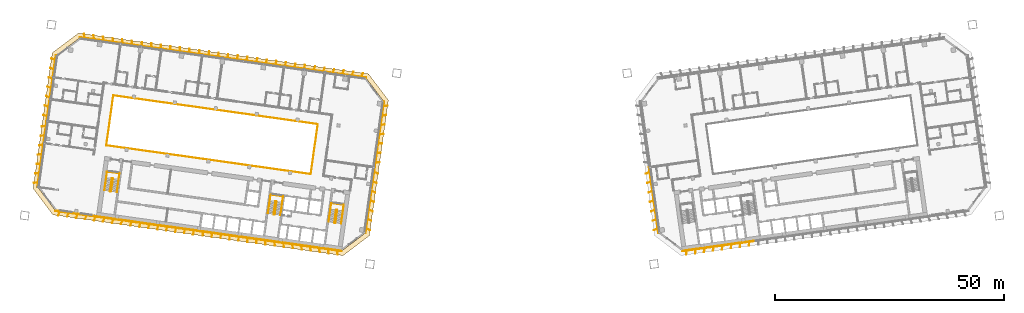
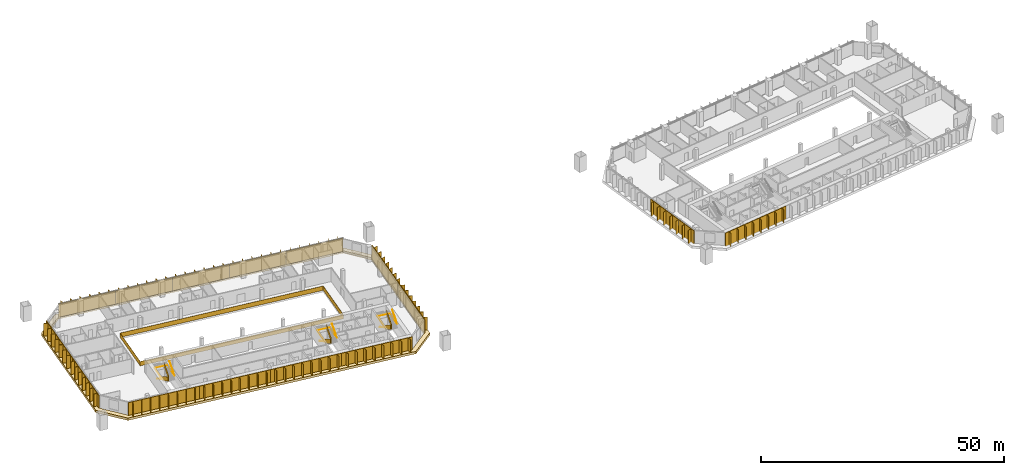
# One storey, part 23 of 24: 15 shading devices, 7 railings, 1 covering.
"""IFC4 building model written with IfcOpenShell, lengths in metres."""

from ifc_helpers import new_model, si_unit, direction, frame, origin, origin_2d, place, context, subcontext, project, spatial, polyline, rectangle, outline, extrude, material, layer, layer_set, type_object, element, save


model = new_model("IFC4")

# Units and contexts
model_context = context("Model", 3, precision=1e-05, world=origin(), true_north=direction((0.0, 1.0)))
body_context = subcontext(model_context, "Body", "Model", "MODEL_VIEW")
ifc_project = project(units=[si_unit("LENGTHUNIT", "METRE"), si_unit("AREAUNIT", "SQUARE_METRE"), si_unit("VOLUMEUNIT", "CUBIC_METRE"), si_unit("PLANEANGLEUNIT", "RADIAN"), si_unit("MASSUNIT", "GRAM", prefix="KILO")], contexts=[model_context])

# Site, building, storey
site_placement = place(None, origin())
site = spatial("IfcSite", under=ifc_project, at=site_placement, CompositionType="ELEMENT")
building_placement = place(site_placement, origin())
building = spatial("IfcBuilding", under=site, at=building_placement, Name="Mirante Cascada Hotel Towers", CompositionType="ELEMENT")
storey_placement = place(building_placement, frame((0.0, 0.0, 77.5)))
storey = spatial("IfcBuildingStorey", under=building, at=storey_placement, Name="L16", CompositionType="ELEMENT", Elevation=77.5)

# Railing
ifc_material_1 = material(Name="Toughened glass with stainless steel handrail", Category="steel")
railing_type_1 = type_object("IfcRailingType", Name="Atrium guard 1100 glass balustrade", PredefinedType="GUARDRAIL", material=ifc_material_1)
railing_1_placement = place(storey_placement, frame((-43.8418, -3.4881, 0.0)))
element("IfcRailing", 1, at=railing_1_placement, inside=storey, type_object=railing_type_1, Name="GUARD 1-L16-1", PredefinedType="GUARDRAIL", context=body_context, shape_type="SweptSolid", body=[
    extrude(rectangle(XDim=0.048, YDim=0.048, at=origin_2d()), frame((0.0, 0.0, 1.076), z_axis=(-0.9902681, 0.1391732, 0.0), x_axis=(-0.1391732, -0.9902681, 0.0)), (0.0, 0.0, 1.0), 45.0),
    extrude(rectangle(XDim=0.02, YDim=1.052, at=origin_2d()), frame((0.0, 0.0, 0.526), z_axis=(-0.9902681, 0.1391732, 0.0), x_axis=(-0.1391732, -0.9902681, 0.0)), (0.0, 0.0, 1.0), 45.0),
    extrude(rectangle(XDim=0.048, YDim=0.048, at=origin_2d()), frame((-44.5621, 6.2628, 1.076), z_axis=(0.1391721, 0.9902682, 0.0), x_axis=(-0.9902682, 0.1391721, 0.0)), (0.0, 0.0, 1.0), 11.0001),
    extrude(rectangle(XDim=0.02, YDim=1.052, at=origin_2d()), frame((-44.5621, 6.2628, 0.526), z_axis=(0.1391721, 0.9902682, 0.0), x_axis=(-0.9902682, 0.1391721, 0.0)), (0.0, 0.0, 1.0), 11.0001),
    extrude(rectangle(XDim=0.048, YDim=0.048, at=origin_2d()), frame((-43.0312, 17.1558, 1.076), z_axis=(0.9902681, -0.1391732, 0.0), x_axis=(0.1391732, 0.9902681, 0.0)), (0.0, 0.0, 1.0), 45.0),
    extrude(rectangle(XDim=0.02, YDim=1.052, at=origin_2d()), frame((-43.0312, 17.1558, 0.526), z_axis=(0.9902681, -0.1391732, 0.0), x_axis=(0.1391732, 0.9902681, 0.0)), (0.0, 0.0, 1.0), 45.0),
    extrude(rectangle(XDim=0.048, YDim=0.048, at=origin_2d()), frame((1.5309, 10.893, 1.076), z_axis=(-0.1391721, -0.9902682, 0.0), x_axis=(0.9902682, -0.1391721, 0.0)), (0.0, 0.0, 1.0), 11.0001),
    extrude(rectangle(XDim=0.02, YDim=1.052, at=origin_2d()), frame((1.5309, 10.893, 0.526), z_axis=(-0.1391721, -0.9902682, 0.0), x_axis=(0.9902682, -0.1391721, 0.0)), (0.0, 0.0, 1.0), 11.0001),
])

# Covering
ifc_material_2 = material(Name="Precast concrete C40/50 white", Category="concrete")
ifc_layer = layer(ifc_material_2, 0.6)
ifc_layer_set = layer_set([ifc_layer], Name="Precast concrete SUNSHADE band 1000x600")
covering_type = type_object("IfcCoveringType", Name="Precast concrete SUNSHADE band 1000x600", PredefinedType="CLADDING", material=ifc_layer_set)
covering_placement = place(storey_placement, frame((0.0, 0.0, -0.45)))
element("IfcCovering", 2, at=covering_placement, inside=storey, type_object=covering_type, Name="Precast concrete SUNSHADE band T1 L16", PredefinedType="CLADDING", context=body_context, shape_type="SweptSolid", body=[
    extrude(outline(polyline([(-104.3652, -6.6094), (-100.2139, 22.9287), (-94.4698, 27.2572), (-31.2626, 18.374), (-26.9341, 12.6299), (-31.0854, -16.9082), (-36.8295, -21.2367), (-100.0367, -12.3535), (-104.3652, -6.6094)]), holes=[polyline([(-27.982, 12.3589), (-31.8119, 17.4414), (-94.1988, 26.2093), (-99.2813, 22.3794), (-103.3173, -6.3384), (-99.4874, -11.4209), (-37.1005, -20.1888), (-32.018, -16.3589), (-27.982, 12.3589)])]), origin(), (0.0, 0.0, 1.0), 0.6),
])

# Railings
ifc_material_3 = material(Name="Painted steel", Category="steel")
railing_type_2 = type_object("IfcRailingType", Name="Stair guard 1100 steel balustrade", PredefinedType="GUARDRAIL", material=ifc_material_3)
railing_2_placement = place(storey_placement, frame((-38.1178, -11.2603, 0.0)))
element("IfcRailing", 3, at=railing_2_placement, inside=storey, type_object=railing_type_2, Name="L16 ST1-A stair guard 1", PredefinedType="GUARDRAIL", context=body_context, shape_type="SweptSolid", body=[
    extrude(rectangle(XDim=0.048, YDim=0.048, at=origin_2d()), frame((0.0, 0.0, 1.076), z_axis=(-0.9903326, 0.1387133, 0.0), x_axis=(-0.1387133, -0.9903326, 0.0)), (0.0, 0.0, 1.0), 0.1499),
    extrude(rectangle(XDim=0.02, YDim=1.052, at=origin_2d()), frame((0.0, 0.0, 0.526), z_axis=(-0.9903326, 0.1387133, 0.0), x_axis=(-0.1387133, -0.9903326, 0.0)), (0.0, 0.0, 1.0), 0.1499),
    extrude(rectangle(XDim=0.048, YDim=0.048, at=origin_2d()), frame((-0.1485, 0.0208, 1.076), z_axis=(-0.7991505, -0.6011309, 0.0), x_axis=(0.6011309, -0.7991505, 0.0)), (0.0, 0.9254529, 0.3788627), 0.1866),
    extrude(rectangle(XDim=0.02, YDim=1.052, at=origin_2d()), frame((-0.1485, 0.0208, 0.526), z_axis=(-0.7991505, -0.6011309, 0.0), x_axis=(0.6011309, -0.7991505, 0.0)), (0.0, 0.9254529, 0.3788627), 0.1866),
    extrude(rectangle(XDim=0.048, YDim=0.048, at=origin_2d()), frame((-0.205, -0.0217, 1.2487), z_axis=(-0.139176, -0.9902677, 0.0), x_axis=(0.9902677, -0.139176, 0.0)), (0.0, 0.5250212, 0.8510891), 3.29),
    extrude(rectangle(XDim=0.02, YDim=1.052, at=origin_2d()), frame((-0.205, -0.0217, 0.6987), z_axis=(-0.139176, -0.9902677, 0.0), x_axis=(0.9902677, -0.139176, 0.0)), (0.0, 0.5250212, 0.8510891), 3.29),
    extrude(rectangle(XDim=0.048, YDim=0.048, at=origin_2d()), frame((-0.5947, -2.7945, 2.976), z_axis=(0.9270311, -0.3749843, 0.0), x_axis=(0.3749843, 0.9270311, 0.0)), (0.0, 0.0, 1.0), 0.2061),
    extrude(rectangle(XDim=0.02, YDim=1.052, at=origin_2d()), frame((-0.5947, -2.7945, 2.426), z_axis=(0.9270311, -0.3749843, 0.0), x_axis=(0.3749843, 0.9270311, 0.0)), (0.0, 0.0, 1.0), 0.2061),
    extrude(rectangle(XDim=0.048, YDim=0.048, at=origin_2d()), frame((-0.4036, -2.8718, 2.976), z_axis=(-0.9902408, 0.1393672, 0.0), x_axis=(-0.1393672, -0.9902408, 0.0)), (0.0, 0.0, 1.0), 0.15),
    extrude(rectangle(XDim=0.02, YDim=1.052, at=origin_2d()), frame((-0.4036, -2.8718, 2.426), z_axis=(-0.9902408, 0.1393672, 0.0), x_axis=(-0.1393672, -0.9902408, 0.0)), (0.0, 0.0, 1.0), 0.15),
    extrude(rectangle(XDim=0.048, YDim=0.048, at=origin_2d()), frame((-0.5521, -2.8509, 2.976), z_axis=(0.9944948, 0.1047858, 0.0), x_axis=(-0.1047858, 0.9944948, 0.0)), (0.0, 0.6422034, 0.7665343), 0.2689),
    extrude(rectangle(XDim=0.02, YDim=1.052, at=origin_2d()), frame((-0.5521, -2.8509, 2.426), z_axis=(0.9944948, 0.1047858, 0.0), x_axis=(-0.1047858, 0.9944948, 0.0)), (0.0, 0.6422034, 0.7665343), 0.2689),
    extrude(rectangle(XDim=0.048, YDim=0.048, at=origin_2d()), frame((-0.3471, -2.8293, 3.1487), z_axis=(0.139176, 0.9902677, 0.0), x_axis=(-0.9902677, 0.139176, 0.0)), (0.0, 0.5250212, 0.8510891), 3.29),
    extrude(rectangle(XDim=0.02, YDim=1.052, at=origin_2d()), frame((-0.3471, -2.8293, 2.5987), z_axis=(0.139176, 0.9902677, 0.0), x_axis=(-0.9902677, 0.139176, 0.0)), (0.0, 0.5250212, 0.8510891), 3.29),
])
railing_3_placement = place(storey_placement, frame((-51.3379, -9.4024, 0.0)))
element("IfcRailing", 4, at=railing_3_placement, inside=storey, type_object=railing_type_2, Name="L16 ST1-B stair guard 1", PredefinedType="GUARDRAIL", context=body_context, shape_type="SweptSolid", body=[
    extrude(rectangle(XDim=0.048, YDim=0.048, at=origin_2d()), frame((0.0, 0.0, 1.076), z_axis=(-0.9902408, 0.1393672, 0.0), x_axis=(-0.1393672, -0.9902408, 0.0)), (0.0, 0.0, 1.0), 0.15),
    extrude(rectangle(XDim=0.02, YDim=1.052, at=origin_2d()), frame((0.0, 0.0, 0.526), z_axis=(-0.9902408, 0.1393672, 0.0), x_axis=(-0.1393672, -0.9902408, 0.0)), (0.0, 0.0, 1.0), 0.15),
    extrude(rectangle(XDim=0.048, YDim=0.048, at=origin_2d()), frame((-0.1485, 0.0209, 1.076), z_axis=(-0.7984711, -0.6020331, 0.0), x_axis=(0.6020331, -0.7984711, 0.0)), (0.0, 0.9253398, 0.3791387), 0.1866),
    extrude(rectangle(XDim=0.02, YDim=1.052, at=origin_2d()), frame((-0.1485, 0.0209, 0.526), z_axis=(-0.7984711, -0.6020331, 0.0), x_axis=(0.6020331, -0.7984711, 0.0)), (0.0, 0.9253398, 0.3791387), 0.1866),
    extrude(rectangle(XDim=0.048, YDim=0.048, at=origin_2d()), frame((-0.205, -0.0217, 1.2487), z_axis=(-0.139181, -0.990267, 0.0), x_axis=(0.990267, -0.139181, 0.0)), (0.0, 0.5250347, 0.8510808), 3.2899),
    extrude(rectangle(XDim=0.02, YDim=1.052, at=origin_2d()), frame((-0.205, -0.0217, 0.6987), z_axis=(-0.139181, -0.990267, 0.0), x_axis=(0.990267, -0.139181, 0.0)), (0.0, 0.5250347, 0.8510808), 3.2899),
    extrude(rectangle(XDim=0.048, YDim=0.048, at=origin_2d()), frame((-0.5947, -2.7944, 2.976), z_axis=(0.9268624, -0.3754011, 0.0), x_axis=(0.3754011, 0.9268624, 0.0)), (0.0, 0.0, 1.0), 0.2062),
    extrude(rectangle(XDim=0.02, YDim=1.052, at=origin_2d()), frame((-0.5947, -2.7944, 2.426), z_axis=(0.9268624, -0.3754011, 0.0), x_axis=(0.3754011, 0.9268624, 0.0)), (0.0, 0.0, 1.0), 0.2062),
    extrude(rectangle(XDim=0.048, YDim=0.048, at=origin_2d()), frame((-0.4036, -2.8718, 2.976), z_axis=(-0.9902408, 0.1393672, 0.0), x_axis=(-0.1393672, -0.9902408, 0.0)), (0.0, 0.0, 1.0), 0.15),
    extrude(rectangle(XDim=0.02, YDim=1.052, at=origin_2d()), frame((-0.4036, -2.8718, 2.426), z_axis=(-0.9902408, 0.1393672, 0.0), x_axis=(-0.1393672, -0.9902408, 0.0)), (0.0, 0.0, 1.0), 0.15),
    extrude(rectangle(XDim=0.048, YDim=0.048, at=origin_2d()), frame((-0.5521, -2.8509, 2.976), z_axis=(0.9944441, 0.1052656, 0.0), x_axis=(-0.1052656, 0.9944441, 0.0)), (0.0, 0.6421842, 0.7665504), 0.2689),
    extrude(rectangle(XDim=0.02, YDim=1.052, at=origin_2d()), frame((-0.5521, -2.8509, 2.426), z_axis=(0.9944441, 0.1052656, 0.0), x_axis=(-0.1052656, 0.9944441, 0.0)), (0.0, 0.6421842, 0.7665504), 0.2689),
    extrude(rectangle(XDim=0.048, YDim=0.048, at=origin_2d()), frame((-0.3471, -2.8292, 3.1487), z_axis=(0.139181, 0.990267, 0.0), x_axis=(-0.990267, 0.139181, 0.0)), (0.0, 0.5250347, 0.8510808), 3.2899),
    extrude(rectangle(XDim=0.02, YDim=1.052, at=origin_2d()), frame((-0.3471, -2.8292, 2.5987), z_axis=(0.139181, 0.990267, 0.0), x_axis=(-0.990267, 0.139181, 0.0)), (0.0, 0.5250347, 0.8510808), 3.2899),
])
railing_4_placement = place(storey_placement, frame((-86.9875, -4.3922, 0.0)))
element("IfcRailing", 5, at=railing_4_placement, inside=storey, type_object=railing_type_2, Name="L16 ST1-C stair guard 1", PredefinedType="GUARDRAIL", context=body_context, shape_type="SweptSolid", body=[
    extrude(rectangle(XDim=0.048, YDim=0.048, at=origin_2d()), frame((0.0, 0.0, 1.076), z_axis=(-0.9902537, 0.1392753, 0.0), x_axis=(-0.1392753, -0.9902537, 0.0)), (0.0, 0.0, 1.0), 0.1501),
    extrude(rectangle(XDim=0.02, YDim=1.052, at=origin_2d()), frame((0.0, 0.0, 0.526), z_axis=(-0.9902537, 0.1392753, 0.0), x_axis=(-0.1392753, -0.9902537, 0.0)), (0.0, 0.0, 1.0), 0.1501),
    extrude(rectangle(XDim=0.048, YDim=0.048, at=origin_2d()), frame((-0.1486, 0.0209, 1.076), z_axis=(-0.7986386, -0.601811, 0.0), x_axis=(0.601811, -0.7986386, 0.0)), (0.0, 0.925603, 0.3784959), 0.1866),
    extrude(rectangle(XDim=0.02, YDim=1.052, at=origin_2d()), frame((-0.1486, 0.0209, 0.526), z_axis=(-0.7986386, -0.601811, 0.0), x_axis=(0.601811, -0.7986386, 0.0)), (0.0, 0.925603, 0.3784959), 0.1866),
    extrude(rectangle(XDim=0.048, YDim=0.048, at=origin_2d()), frame((-0.205, -0.0216, 1.2487), z_axis=(-0.139176, -0.9902677, 0.0), x_axis=(0.9902677, -0.139176, 0.0)), (0.0, 0.5250212, 0.8510891), 3.29),
    extrude(rectangle(XDim=0.02, YDim=1.052, at=origin_2d()), frame((-0.205, -0.0216, 0.6987), z_axis=(-0.139176, -0.9902677, 0.0), x_axis=(0.9902677, -0.139176, 0.0)), (0.0, 0.5250212, 0.8510891), 3.29),
    extrude(rectangle(XDim=0.048, YDim=0.048, at=origin_2d()), frame((-0.5947, -2.7944, 2.976), z_axis=(0.9270311, -0.3749843, 0.0), x_axis=(0.3749843, 0.9270311, 0.0)), (0.0, 0.0, 1.0), 0.2061),
    extrude(rectangle(XDim=0.02, YDim=1.052, at=origin_2d()), frame((-0.5947, -2.7944, 2.426), z_axis=(0.9270311, -0.3749843, 0.0), x_axis=(0.3749843, 0.9270311, 0.0)), (0.0, 0.0, 1.0), 0.2061),
    extrude(rectangle(XDim=0.048, YDim=0.048, at=origin_2d()), frame((-0.4036, -2.8717, 2.976), z_axis=(-0.9903454, 0.1386217, 0.0), x_axis=(-0.1386217, -0.9903454, 0.0)), (0.0, 0.0, 1.0), 0.15),
    extrude(rectangle(XDim=0.02, YDim=1.052, at=origin_2d()), frame((-0.4036, -2.8717, 2.426), z_axis=(-0.9903454, 0.1386217, 0.0), x_axis=(-0.1386217, -0.9903454, 0.0)), (0.0, 0.0, 1.0), 0.15),
    extrude(rectangle(XDim=0.048, YDim=0.048, at=origin_2d()), frame((-0.5522, -2.8509, 2.976), z_axis=(0.9944441, 0.1052656, 0.0), x_axis=(-0.1052656, 0.9944441, 0.0)), (0.0, 0.6421842, 0.7665504), 0.2689),
    extrude(rectangle(XDim=0.02, YDim=1.052, at=origin_2d()), frame((-0.5522, -2.8509, 2.426), z_axis=(0.9944441, 0.1052656, 0.0), x_axis=(-0.1052656, 0.9944441, 0.0)), (0.0, 0.6421842, 0.7665504), 0.2689),
    extrude(rectangle(XDim=0.048, YDim=0.048, at=origin_2d()), frame((-0.3472, -2.8292, 3.1487), z_axis=(0.139176, 0.9902677, 0.0), x_axis=(-0.9902677, 0.139176, 0.0)), (0.0, 0.5250212, 0.8510891), 3.29),
    extrude(rectangle(XDim=0.02, YDim=1.052, at=origin_2d()), frame((-0.3472, -2.8292, 2.5987), z_axis=(0.139176, 0.9902677, 0.0), x_axis=(-0.9902677, 0.139176, 0.0)), (0.0, 0.5250212, 0.8510891), 3.29),
])
ifc_material_4 = material(Name="Painted steel", Category="steel")
railing_type_3 = type_object("IfcRailingType", Name="Stair handrail 900 steel tube", PredefinedType="HANDRAIL", material=ifc_material_4)
railing_5_placement = place(storey_placement, frame((-39.5606, -11.1081, 0.1727)))
element("IfcRailing", 6, at=railing_5_placement, inside=storey, type_object=railing_type_3, Name="L16 ST1-A stair handrail 1", PredefinedType="HANDRAIL", context=body_context, shape_type="SweptSolid", body=[
    extrude(rectangle(XDim=0.048, YDim=0.048, at=origin_2d()), frame((0.0, 0.0, 0.876), z_axis=(-0.139181, -0.990267, 0.0), x_axis=(0.990267, -0.139181, 0.0)), (0.0, 0.5250347, 0.8510808), 3.2899),
    extrude(rectangle(XDim=0.048, YDim=0.048, at=origin_2d()), frame((-0.3897, -2.7727, 2.6033), z_axis=(0.1391707, 0.9902684, 0.0), x_axis=(-0.9902684, 0.1391707, 0.0)), (0.0, 0.0420846, 0.999114), 4.1036),
    extrude(rectangle(XDim=0.048, YDim=0.048, at=origin_2d()), frame((0.1809, 1.2874, 2.776), z_axis=(0.9902691, -0.1391657, 0.0), x_axis=(0.1391657, 0.9902691, 0.0)), (0.0, 0.0, 1.0), 2.75),
    extrude(rectangle(XDim=0.048, YDim=0.048, at=origin_2d()), frame((2.9041, 0.9047, 2.776), z_axis=(-0.1391707, -0.9902684, 0.0), x_axis=(0.9902684, -0.1391707, 0.0)), (0.0, 0.0, 1.0), 4.1),
    extrude(rectangle(XDim=0.048, YDim=0.048, at=origin_2d()), frame((2.3335, -3.1554, 2.776), z_axis=(0.139181, 0.990267, 0.0), x_axis=(-0.990267, 0.139181, 0.0)), (0.0, 0.5250347, 0.8510808), 3.2899),
])
railing_6_placement = place(storey_placement, frame((-52.7807, -9.2501, 0.1727)))
element("IfcRailing", 7, at=railing_6_placement, inside=storey, type_object=railing_type_3, Name="L16 ST1-B stair handrail 1", PredefinedType="HANDRAIL", context=body_context, shape_type="SweptSolid", body=[
    extrude(rectangle(XDim=0.048, YDim=0.048, at=origin_2d()), frame((0.0, 0.0, 0.876), z_axis=(-0.139181, -0.990267, 0.0), x_axis=(0.990267, -0.139181, 0.0)), (0.0, 0.5250347, 0.8510808), 3.2899),
    extrude(rectangle(XDim=0.048, YDim=0.048, at=origin_2d()), frame((-0.3897, -2.7727, 2.6033), z_axis=(0.1391707, 0.9902684, 0.0), x_axis=(-0.9902684, 0.1391707, 0.0)), (0.0, 0.0420846, 0.999114), 4.1036),
    extrude(rectangle(XDim=0.048, YDim=0.048, at=origin_2d()), frame((0.1809, 1.2874, 2.776), z_axis=(0.9902641, -0.1392013, 0.0), x_axis=(0.1392013, 0.9902641, 0.0)), (0.0, 0.0, 1.0), 2.75),
    extrude(rectangle(XDim=0.048, YDim=0.048, at=origin_2d()), frame((2.9041, 0.9046, 2.776), z_axis=(-0.1391707, -0.9902684, 0.0), x_axis=(0.9902684, -0.1391707, 0.0)), (0.0, 0.0, 1.0), 4.1),
    extrude(rectangle(XDim=0.048, YDim=0.048, at=origin_2d()), frame((2.3335, -3.1555, 2.776), z_axis=(0.139176, 0.9902677, 0.0), x_axis=(-0.9902677, 0.139176, 0.0)), (0.0, 0.5250212, 0.8510891), 3.29),
])
railing_7_placement = place(storey_placement, frame((-88.4304, -4.2399, 0.1727)))
element("IfcRailing", 8, at=railing_7_placement, inside=storey, type_object=railing_type_3, Name="L16 ST1-C stair handrail 1", PredefinedType="HANDRAIL", context=body_context, shape_type="SweptSolid", body=[
    extrude(rectangle(XDim=0.048, YDim=0.048, at=origin_2d()), frame((0.0, 0.0, 0.876), z_axis=(-0.139181, -0.990267, 0.0), x_axis=(0.990267, -0.139181, 0.0)), (0.0, 0.5250347, 0.8510808), 3.2899),
    extrude(rectangle(XDim=0.048, YDim=0.048, at=origin_2d()), frame((-0.3897, -2.7727, 2.6033), z_axis=(0.1391947, 0.990265, 0.0), x_axis=(-0.990265, 0.1391947, 0.0)), (0.0, 0.0420845, 0.9991141), 4.1036),
    extrude(rectangle(XDim=0.048, YDim=0.048, at=origin_2d()), frame((0.181, 1.2874, 2.776), z_axis=(0.9902691, -0.1391657, 0.0), x_axis=(0.1391657, 0.9902691, 0.0)), (0.0, 0.0, 1.0), 2.75),
    extrude(rectangle(XDim=0.048, YDim=0.048, at=origin_2d()), frame((2.9042, 0.9047, 2.776), z_axis=(-0.1391707, -0.9902684, 0.0), x_axis=(0.9902684, -0.1391707, 0.0)), (0.0, 0.0, 1.0), 4.1),
    extrude(rectangle(XDim=0.048, YDim=0.048, at=origin_2d()), frame((2.3336, -3.1554, 2.776), z_axis=(0.139181, 0.990267, 0.0), x_axis=(-0.990267, 0.139181, 0.0)), (0.0, 0.5250347, 0.8510808), 3.2899),
])

# Shading devices
ifc_material_5 = material(Name="White precast concrete C50/60 fin", Category="concrete")
shading_device_type = type_object("IfcShadingDeviceType", Name="Vertical fin set 4500x900", PredefinedType="USERDEFINED", material=ifc_material_5)
shading_device_1_placement = place(storey_placement, origin())
element("IfcShadingDevice", 9, at=shading_device_1_placement, inside=storey, type_object=shading_device_type, Name="FIN T1 L16 front 1", ObjectType="FIN", PredefinedType="USERDEFINED", context=body_context, shape_type="SweptSolid", body=[
    extrude(outline(polyline([(-82.8173, 25.599), (-82.7126, 24.7465), (-81.7006, 24.6042), (-81.7214, 24.4557), (-94.1988, 26.2093), (-94.1779, 26.3578), (-93.1924, 26.2193), (-93.2945, 27.0506), (-93.2151, 27.0603), (-93.1104, 26.2078), (-91.1129, 25.9271), (-91.2149, 26.7583), (-91.1355, 26.7681), (-91.0308, 25.9155), (-89.0333, 25.6348), (-89.1354, 26.4661), (-89.056, 26.4758), (-88.9513, 25.6233), (-86.9537, 25.3425), (-87.0558, 26.1738), (-86.9764, 26.1835), (-86.8717, 25.331), (-84.8742, 25.0503), (-84.9762, 25.8815), (-84.8968, 25.8913), (-84.7922, 25.0387), (-82.7946, 24.758), (-82.8967, 25.5893), (-82.8173, 25.599)])), origin(), (0.0, 0.0, 1.0), 3.35),
])
shading_device_2_placement = place(storey_placement, origin())
element("IfcShadingDevice", 10, at=shading_device_2_placement, inside=storey, type_object=shading_device_type, Name="FIN T1 L16 front 2", ObjectType="FIN", PredefinedType="USERDEFINED", context=body_context, shape_type="SweptSolid", body=[
    extrude(outline(polyline([(-70.2221, 23.8469), (-70.2295, 22.9921), (-69.2232, 22.8507), (-69.2441, 22.7021), (-81.7214, 24.4557), (-81.7006, 24.6042), (-80.7072, 24.4646), (-80.6999, 25.3089), (-80.6199, 25.3082), (-80.6273, 24.4534), (-78.6277, 24.1724), (-78.6203, 25.0166), (-78.5403, 25.0159), (-78.5478, 24.1611), (-76.5481, 23.8801), (-76.5407, 24.7244), (-76.4608, 24.7237), (-76.4682, 23.8689), (-74.4686, 23.5878), (-74.4612, 24.4321), (-74.3812, 24.4314), (-74.3886, 23.5766), (-72.389, 23.2956), (-72.3816, 24.1399), (-72.3016, 24.1392), (-72.3091, 23.2844), (-70.3094, 23.0033), (-70.3021, 23.8476), (-70.2221, 23.8469)])), origin(), (0.0, 0.0, 1.0), 3.35),
])
shading_device_3_placement = place(storey_placement, origin())
element("IfcShadingDevice", 11, at=shading_device_3_placement, inside=storey, type_object=shading_device_type, Name="FIN T1 L16 front 3", ObjectType="FIN", PredefinedType="USERDEFINED", context=body_context, shape_type="SweptSolid", body=[
    extrude(outline(polyline([(-57.6277, 22.0794), (-57.746, 21.2376), (-56.7458, 21.0971), (-56.7667, 20.9485), (-69.2441, 22.7021), (-69.2232, 22.8507), (-68.223, 22.7101), (-68.1047, 23.5518), (-68.0255, 23.5407), (-68.1438, 22.699), (-66.1434, 22.4178), (-66.0251, 23.2596), (-65.9459, 23.2484), (-66.0642, 22.4067), (-64.0639, 22.1256), (-63.9456, 22.9673), (-63.8664, 22.9562), (-63.9847, 22.1144), (-61.9843, 21.8333), (-61.866, 22.675), (-61.7868, 22.6639), (-61.9051, 21.8222), (-59.9048, 21.541), (-59.7865, 22.3828), (-59.7072, 22.3716), (-59.8255, 21.5299), (-57.8252, 21.2488), (-57.7069, 22.0905), (-57.6277, 22.0794)])), origin(), (0.0, 0.0, 1.0), 3.35),
])
shading_device_4_placement = place(storey_placement, origin())
element("IfcShadingDevice", 12, at=shading_device_4_placement, inside=storey, type_object=shading_device_type, Name="FIN T1 L16 front 4", ObjectType="FIN", PredefinedType="USERDEFINED", context=body_context, shape_type="SweptSolid", body=[
    extrude(outline(polyline([(-45.0361, 20.2967), (-45.2617, 19.4831), (-44.2684, 19.3435), (-44.2893, 19.195), (-56.7667, 20.9485), (-56.7458, 21.0971), (-55.7394, 20.9556), (-55.511, 21.7794), (-55.4339, 21.758), (-55.6595, 20.9444), (-53.6599, 20.6634), (-53.4314, 21.4871), (-53.3544, 21.4657), (-53.58, 20.6521), (-51.5803, 20.3711), (-51.3519, 21.1949), (-51.2748, 21.1735), (-51.5004, 20.3599), (-49.5008, 20.0789), (-49.2723, 20.9026), (-49.1952, 20.8812), (-49.4209, 20.0676), (-47.4212, 19.7866), (-47.1928, 20.6103), (-47.1157, 20.589), (-47.3413, 19.7754), (-45.3416, 19.4943), (-45.1132, 20.3181), (-45.0361, 20.2967)])), origin(), (0.0, 0.0, 1.0), 3.35),
])
shading_device_5_placement = place(storey_placement, origin())
element("IfcShadingDevice", 13, at=shading_device_5_placement, inside=storey, type_object=shading_device_type, Name="FIN T1 L16 front 5", ObjectType="FIN", PredefinedType="USERDEFINED", context=body_context, shape_type="SweptSolid", body=[
    extrude(outline(polyline([(-32.4493, 18.4994), (-32.7765, 17.7284), (-31.791, 17.5899), (-31.8119, 17.4414), (-44.2893, 19.195), (-44.2684, 19.3435), (-43.2564, 19.2013), (-42.9208, 19.9919), (-42.8471, 19.9607), (-43.1744, 19.1897), (-41.1768, 18.909), (-40.8412, 19.6997), (-40.7676, 19.6684), (-41.0948, 18.8975), (-39.0973, 18.6167), (-38.7616, 19.4074), (-38.688, 19.3761), (-39.0152, 18.6052), (-37.0177, 18.3245), (-36.6821, 19.1151), (-36.6084, 19.0839), (-36.9357, 18.3129), (-34.9381, 18.0322), (-34.6025, 18.8229), (-34.5289, 18.7916), (-34.8561, 18.0207), (-32.8586, 17.7399), (-32.5229, 18.5306), (-32.4493, 18.4994)])), origin(), (0.0, 0.0, 1.0), 3.35),
])
shading_device_6_placement = place(storey_placement, origin())
element("IfcShadingDevice", 14, at=shading_device_6_placement, inside=storey, type_object=shading_device_type, Name="FIN T1 L16 inner 1", ObjectType="FIN", PredefinedType="USERDEFINED", context=body_context, shape_type="SweptSolid", body=[
    extrude(outline(polyline([(-29.7112, -1.023), (-29.8515, -2.0209), (-30.0, -2.0), (-27.982, 12.3589), (-27.8334, 12.338), (-27.97, 11.3667), (-27.1387, 11.4687), (-27.1289, 11.3893), (-27.9815, 11.2846), (-28.2583, 9.3154), (-27.427, 9.4174), (-27.4172, 9.338), (-28.2698, 9.2334), (-28.5465, 7.2641), (-27.7153, 7.3662), (-27.7055, 7.2868), (-28.5581, 7.1821), (-28.8348, 5.2128), (-28.0036, 5.3149), (-27.9938, 5.2355), (-28.8464, 5.1308), (-29.1231, 3.1616), (-28.2918, 3.2636), (-28.2821, 3.1842), (-29.1346, 3.0796), (-29.4114, 1.1103), (-28.5801, 1.2124), (-28.5704, 1.133), (-29.4229, 1.0283), (-29.6997, -0.941), (-28.8684, -0.8389), (-28.8587, -0.9183), (-29.7112, -1.023)])), origin(), (0.0, 0.0, 1.0), 3.35),
])
shading_device_7_placement = place(storey_placement, origin())
element("IfcShadingDevice", 15, at=shading_device_7_placement, inside=storey, type_object=shading_device_type, Name="FIN T1 L16 inner 2", ObjectType="FIN", PredefinedType="USERDEFINED", context=body_context, shape_type="SweptSolid", body=[
    extrude(outline(polyline([(-31.733, -15.4084), (-31.8695, -16.3798), (-32.018, -16.3589), (-30.0, -2.0), (-29.8515, -2.0209), (-29.9917, -3.0188), (-29.201, -3.3544), (-29.2323, -3.428), (-30.0032, -3.1008), (-30.28, -5.07), (-29.4893, -5.4057), (-29.5206, -5.4793), (-30.2915, -5.1521), (-30.5683, -7.1213), (-29.7776, -7.4569), (-29.8089, -7.5306), (-30.5798, -7.2033), (-30.8566, -9.1726), (-30.0659, -9.5082), (-30.0972, -9.5818), (-30.8681, -9.2546), (-31.1449, -11.2238), (-30.3542, -11.5595), (-30.3854, -11.6331), (-31.1564, -11.3059), (-31.4331, -13.2751), (-30.6425, -13.6107), (-30.6737, -13.6844), (-31.4447, -13.3571), (-31.7214, -15.3264), (-30.9308, -15.662), (-30.962, -15.7356), (-31.733, -15.4084)])), origin(), (0.0, 0.0, 1.0), 3.35),
])
shading_device_8_placement = place(storey_placement, origin())
element("IfcShadingDevice", 16, at=shading_device_8_placement, inside=storey, type_object=shading_device_type, Name="FIN T1 L16 outer 1", ObjectType="FIN", PredefinedType="USERDEFINED", context=body_context, shape_type="SweptSolid", body=[
    extrude(outline(polyline([(-103.3178, -5.2642), (-103.041, -3.2949), (-103.8723, -3.397), (-103.8821, -3.3176), (-103.0295, -3.2129), (-102.7528, -1.2436), (-103.584, -1.3457), (-103.5938, -1.2663), (-102.7412, -1.1616), (-102.4645, 0.8076), (-103.2957, 0.7056), (-103.3055, 0.785), (-102.4529, 0.8896), (-102.1762, 2.8589), (-103.0075, 2.7568), (-103.0172, 2.8362), (-102.1647, 2.9409), (-101.8879, 4.9102), (-102.7192, 4.8081), (-102.7289, 4.8875), (-101.8764, 4.9922), (-101.5996, 6.9614), (-102.4309, 6.8594), (-102.4406, 6.9388), (-101.5881, 7.0434), (-101.4478, 8.0413), (-101.2993, 8.0205), (-103.3173, -6.3384), (-103.4659, -6.3175), (-103.3293, -5.3462), (-104.1606, -5.4483), (-104.1704, -5.3689), (-103.3178, -5.2642)])), origin(), (0.0, 0.0, 1.0), 3.35),
])
shading_device_9_placement = place(storey_placement, origin())
element("IfcShadingDevice", 17, at=shading_device_9_placement, inside=storey, type_object=shading_device_type, Name="FIN T1 L16 outer 2", ObjectType="FIN", PredefinedType="USERDEFINED", context=body_context, shape_type="SweptSolid", body=[
    extrude(outline(polyline([(-101.2961, 9.1212), (-101.0193, 11.0905), (-101.81, 11.4261), (-101.7787, 11.4998), (-101.0078, 11.1725), (-100.731, 13.1418), (-101.5217, 13.4774), (-101.4904, 13.551), (-100.7195, 13.2238), (-100.4427, 15.193), (-101.2334, 15.5287), (-101.2021, 15.6023), (-100.4312, 15.2751), (-100.1544, 17.2443), (-100.9451, 17.5799), (-100.9139, 17.6536), (-100.1429, 17.3263), (-99.8662, 19.2956), (-100.6568, 19.6312), (-100.6256, 19.7048), (-99.8546, 19.3776), (-99.5779, 21.3469), (-100.3685, 21.6825), (-100.3373, 21.7561), (-99.5663, 21.4289), (-99.4298, 22.4002), (-99.2813, 22.3794), (-101.2993, 8.0205), (-101.4478, 8.0413), (-101.3076, 9.0392), (-102.0983, 9.3749), (-102.067, 9.4485), (-101.2961, 9.1212)])), origin(), (0.0, 0.0, 1.0), 3.35),
])
shading_device_10_placement = place(storey_placement, origin())
element("IfcShadingDevice", 18, at=shading_device_10_placement, inside=storey, type_object=shading_device_type, Name="FIN T1 L16 rear 1", ObjectType="FIN", PredefinedType="USERDEFINED", context=body_context, shape_type="SweptSolid", body=[
    extrude(outline(polyline([(-38.1239, -20.1965), (-39.9915, -19.934), (-39.8894, -20.7653), (-39.9688, -20.775), (-40.0735, -19.9225), (-41.9411, -19.66), (-41.839, -20.4913), (-41.9184, -20.501), (-42.0231, -19.6485), (-43.8907, -19.386), (-43.7886, -20.2173), (-43.868, -20.227), (-43.9727, -19.3745), (-45.8403, -19.112), (-45.7382, -19.9433), (-45.8176, -19.953), (-45.9223, -19.1005), (-47.7898, -18.838), (-47.6878, -19.6693), (-47.7672, -19.679), (-47.8719, -18.8265), (-49.7394, -18.564), (-49.6374, -19.3953), (-49.7168, -19.405), (-49.8214, -18.5525), (-51.689, -18.29), (-51.587, -19.1213), (-51.6664, -19.131), (-51.771, -18.2785), (-52.7181, -18.1454), (-52.6972, -17.9968), (-37.1005, -20.1888), (-37.1214, -20.3374), (-38.0419, -20.208), (-37.9398, -21.0393), (-38.0192, -21.049), (-38.1239, -20.1965)])), origin(), (0.0, 0.0, 1.0), 3.35),
])
shading_device_11_placement = place(storey_placement, origin())
element("IfcShadingDevice", 19, at=shading_device_11_placement, inside=storey, type_object=shading_device_type, Name="FIN T1 L16 rear 2", ObjectType="FIN", PredefinedType="USERDEFINED", context=body_context, shape_type="SweptSolid", body=[
    extrude(outline(polyline([(-53.7283, -18.0034), (-55.5984, -17.7406), (-55.6427, -18.5857), (-55.7226, -18.5815), (-55.6779, -17.7294), (-57.548, -17.4666), (-57.5923, -18.3117), (-57.6722, -18.3075), (-57.6275, -17.4554), (-59.4976, -17.1926), (-59.5419, -18.0377), (-59.6217, -18.0335), (-59.5771, -17.1814), (-61.4472, -16.9186), (-61.4914, -17.7637), (-61.5713, -17.7596), (-61.5267, -16.9074), (-63.3967, -16.6446), (-63.441, -17.4897), (-63.5209, -17.4856), (-63.4763, -16.6334), (-65.3463, -16.3706), (-65.3906, -17.2157), (-65.4705, -17.2116), (-65.4259, -16.3594), (-67.2959, -16.0966), (-67.3402, -16.9417), (-67.4201, -16.9376), (-67.3755, -16.0854), (-68.3148, -15.9534), (-68.2939, -15.8049), (-52.6972, -17.9968), (-52.7181, -18.1454), (-53.6488, -18.0146), (-53.6931, -18.8597), (-53.773, -18.8555), (-53.7283, -18.0034)])), origin(), (0.0, 0.0, 1.0), 3.35),
])
shading_device_12_placement = place(storey_placement, origin())
element("IfcShadingDevice", 20, at=shading_device_12_placement, inside=storey, type_object=shading_device_type, Name="FIN T1 L16 rear 3", ObjectType="FIN", PredefinedType="USERDEFINED", context=body_context, shape_type="SweptSolid", body=[
    extrude(outline(polyline([(-69.3337, -15.8102), (-71.2038, -15.5474), (-71.3957, -16.3788), (-71.4737, -16.3608), (-71.2833, -15.5362), (-73.1534, -15.2734), (-73.3453, -16.1048), (-73.4233, -16.0868), (-73.2329, -15.2622), (-75.103, -14.9994), (-75.2949, -15.8308), (-75.3729, -15.8128), (-75.1825, -14.9882), (-77.0525, -14.7254), (-77.2445, -15.5568), (-77.3224, -15.5388), (-77.1321, -14.7142), (-79.0021, -14.4514), (-79.1941, -15.2828), (-79.272, -15.2648), (-79.0817, -14.4402), (-80.9517, -14.1774), (-81.1437, -15.0088), (-81.2216, -14.9908), (-81.0312, -14.1662), (-82.9013, -13.9034), (-83.0933, -14.7348), (-83.1712, -14.7168), (-82.9808, -13.8922), (-83.9115, -13.7614), (-83.8907, -13.6129), (-68.2939, -15.8049), (-68.3148, -15.9534), (-69.2542, -15.8214), (-69.4461, -16.6528), (-69.5241, -16.6348), (-69.3337, -15.8102)])), origin(), (0.0, 0.0, 1.0), 3.35),
])
shading_device_13_placement = place(storey_placement, origin())
element("IfcShadingDevice", 21, at=shading_device_13_placement, inside=storey, type_object=shading_device_type, Name="FIN T1 L16 rear 4", ObjectType="FIN", PredefinedType="USERDEFINED", context=body_context, shape_type="SweptSolid", body=[
    extrude(outline(polyline([(-84.9406, -13.6168), (-86.8082, -13.3543), (-87.1438, -14.145), (-87.2174, -14.1137), (-86.8902, -13.3428), (-88.7578, -13.0803), (-89.0934, -13.871), (-89.167, -13.8397), (-88.8398, -13.0688), (-90.7074, -12.8063), (-91.043, -13.597), (-91.1166, -13.5657), (-90.7894, -12.7948), (-92.657, -12.5323), (-92.9926, -13.323), (-93.0662, -13.2918), (-92.739, -12.5208), (-94.6065, -12.2583), (-94.9422, -13.049), (-95.0158, -13.0178), (-94.6886, -12.2468), (-96.5561, -11.9843), (-96.8918, -12.775), (-96.9654, -12.7438), (-96.6381, -11.9728), (-98.5057, -11.7103), (-98.8413, -12.501), (-98.915, -12.4698), (-98.5877, -11.6988), (-99.5083, -11.5694), (-99.4874, -11.4209), (-83.8907, -13.6129), (-83.9115, -13.7614), (-84.8586, -13.6283), (-85.1942, -14.419), (-85.2679, -14.3877), (-84.9406, -13.6168)])), origin(), (0.0, 0.0, 1.0), 3.35),
])
shading_device_14_placement = place(storey_placement, origin())
element("IfcShadingDevice", 22, at=shading_device_14_placement, inside=storey, type_object=shading_device_type, Name="FIN T2 L16 inner 2", ObjectType="FIN", PredefinedType="USERDEFINED", context=body_context, shape_type="SweptSolid", body=[
    extrude(outline(polyline([(30.9308, -15.662), (31.7214, -15.3264), (31.4447, -13.3571), (30.6737, -13.6844), (30.6425, -13.6107), (31.4331, -13.2751), (31.1564, -11.3059), (30.3854, -11.6331), (30.3542, -11.5595), (31.1449, -11.2238), (30.8681, -9.2546), (30.0972, -9.5818), (30.0659, -9.5082), (30.8566, -9.1726), (30.5798, -7.2033), (29.8089, -7.5306), (29.7776, -7.4569), (30.5683, -7.1213), (30.2915, -5.1521), (29.5206, -5.4793), (29.4893, -5.4057), (30.28, -5.07), (30.0032, -3.1008), (29.2323, -3.428), (29.201, -3.3544), (29.9917, -3.0188), (29.8515, -2.0209), (30.0, -2.0), (32.018, -16.3589), (31.8695, -16.3798), (31.733, -15.4084), (30.962, -15.7356), (30.9308, -15.662)])), origin(), (0.0, 0.0, 1.0), 3.35),
])
shading_device_15_placement = place(storey_placement, origin())
element("IfcShadingDevice", 23, at=shading_device_15_placement, inside=storey, type_object=shading_device_type, Name="FIN T2 L16 rear 1", ObjectType="FIN", PredefinedType="USERDEFINED", context=body_context, shape_type="SweptSolid", body=[
    extrude(outline(polyline([(37.9398, -21.0393), (38.0419, -20.208), (37.1214, -20.3374), (37.1005, -20.1888), (52.6972, -17.9968), (52.7181, -18.1454), (51.771, -18.2785), (51.6664, -19.131), (51.587, -19.1213), (51.689, -18.29), (49.8214, -18.5525), (49.7168, -19.405), (49.6374, -19.3953), (49.7394, -18.564), (47.8719, -18.8265), (47.7672, -19.679), (47.6878, -19.6693), (47.7898, -18.838), (45.9223, -19.1005), (45.8176, -19.953), (45.7382, -19.9433), (45.8403, -19.112), (43.9727, -19.3745), (43.868, -20.227), (43.7886, -20.2173), (43.8907, -19.386), (42.0231, -19.6485), (41.9184, -20.501), (41.839, -20.4913), (41.9411, -19.66), (40.0735, -19.9225), (39.9688, -20.775), (39.8894, -20.7653), (39.9915, -19.934), (38.1239, -20.1965), (38.0192, -21.049), (37.9398, -21.0393)])), origin(), (0.0, 0.0, 1.0), 3.35),
])

save(model, "model.ifc")
